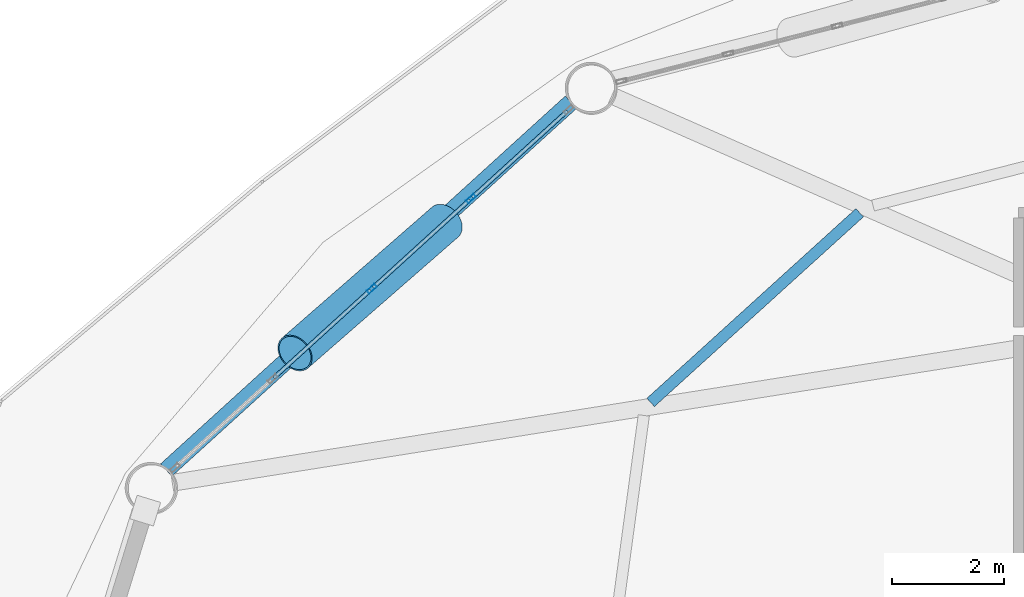
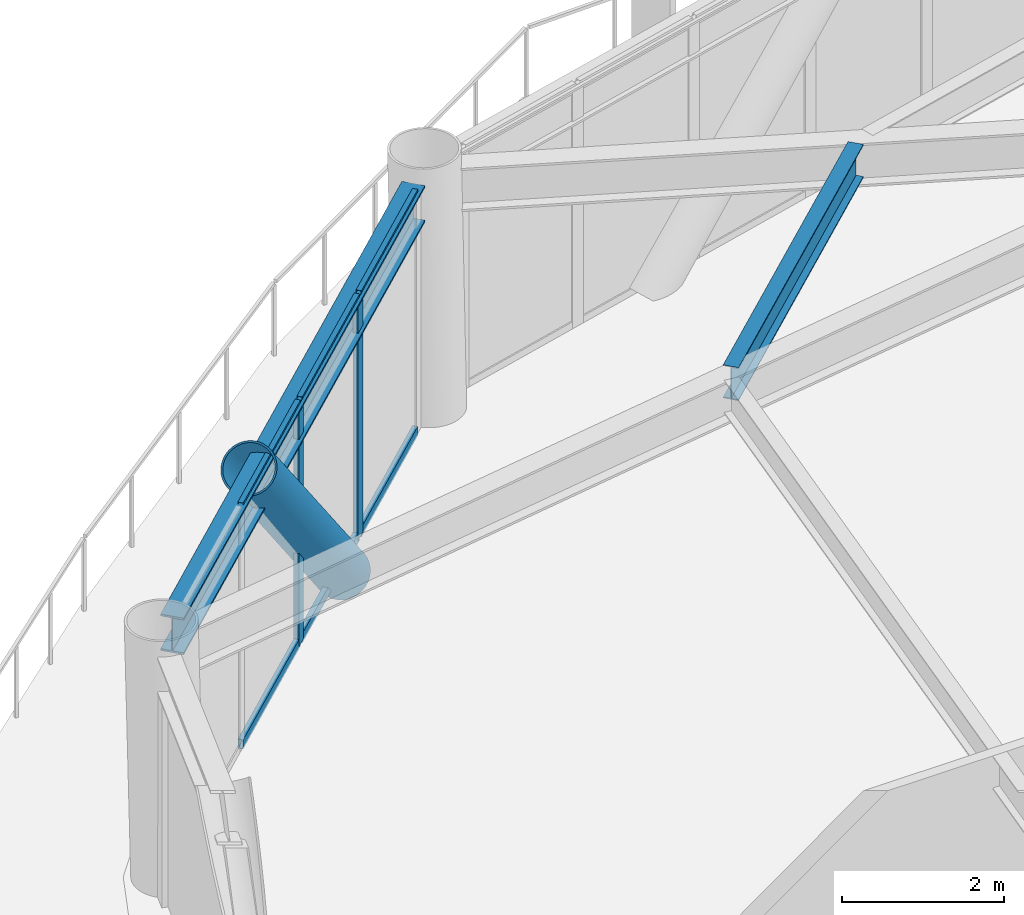
# One storey, part 14 of 22: 9 members, 2 beams, 1 element without a shape of its own.
"""IFC4 building model written with IfcOpenShell, lengths in metres."""

from ifc_helpers import new_model, si_unit, direction, frame, origin, origin_2d, place, context, subcontext, project, spatial, hollow_rectangle, hollow_circle, i_section, extrude, material, layer, layer_set, material_profile, profile_set, type_object, element, aggregate, save


model = new_model("IFC4")

# Units and contexts
model_context = context("Model", 3, precision=1e-05, world=origin(), true_north=direction((0.0, 1.0)))
body_context = subcontext(model_context, "Body", "Model", "MODEL_VIEW")
ifc_project = project(units=[si_unit("LENGTHUNIT", "METRE"), si_unit("AREAUNIT", "SQUARE_METRE"), si_unit("VOLUMEUNIT", "CUBIC_METRE"), si_unit("PLANEANGLEUNIT", "RADIAN"), si_unit("MASSUNIT", "GRAM", prefix="KILO")], contexts=[model_context])

# Site, building, storey
site_placement = place(None, origin())
site = spatial("IfcSite", under=ifc_project, at=site_placement, CompositionType="ELEMENT")
building_placement = place(site_placement, origin())
building = spatial("IfcBuilding", under=site, at=building_placement, Name="Varnakorn Sky Granary", CompositionType="ELEMENT")
storey_placement = place(building_placement, frame((0.0, 0.0, 66.60009765625)))
storey = spatial("IfcBuildingStorey", under=building, at=storey_placement, Name="L16", CompositionType="ELEMENT", Elevation=66.60009765625)

# Beams
ifc_material_1 = material(Name="Steel S355JR", Category="steel")
ifc_material_profile_1 = material_profile(ifc_material_1, i_section(OverallWidth=0.199951171875, OverallDepth=0.5, WebThickness=0.01025390625, FlangeThickness=0.01611328125, at=origin_2d()), Name="IPE 500")
ifc_profile_set_1 = profile_set([ifc_material_profile_1], Name="Steel S355JR")
beam_type_1 = type_object("IfcBeamType", Name="BM-SEC-Z1", PredefinedType="BEAM", material=ifc_profile_set_1)
beam_1_placement = place(storey_placement, frame((-7.443359375, 14.69580078125, 3.389892578125), z_axis=(-0.740548268532, -0.672003171105, 0.0), x_axis=(0.672003171105, -0.740548268532, 0.0)))
element("IfcBeam", 1, at=beam_1_placement, inside=storey, type_object=beam_type_1, Name="Secondary Floor Chord Beam MSB05 L16", PredefinedType="BEAM", context=body_context, shape_type="SweptSolid", body=[
    extrude(i_section(OverallWidth=0.199951171875, OverallDepth=0.5, WebThickness=0.01025390625, FlangeThickness=0.01611328125, at=origin_2d()), origin(), (0.0, 0.0, 1.0), 5.047119140625),
])
ifc_material_profile_2 = material_profile(ifc_material_1, i_section(OverallWidth=0.300048828125, OverallDepth=0.550048828125, WebThickness=0.014892578125, FlangeThickness=0.029052734375, at=origin_2d()), Name="HE 550 B")
ifc_profile_set_2 = profile_set([ifc_material_profile_2], Name="Steel S355JR")
beam_type_2 = type_object("IfcBeamType", Name="BM-SPD-Z1", PredefinedType="SPANDREL", material=ifc_profile_set_2)
beam_2_placement = place(storey_placement, frame((-12.606689453125, 16.671630859375, 3.364990234375), z_axis=(-0.740018014029, -0.67258704932, 0.0), x_axis=(0.67258704932, -0.740018014029, 0.0)))
element("IfcBeam", 2, at=beam_2_placement, inside=storey, type_object=beam_type_2, Name="Perimeter Spandrel Ring Beam RB05 L16", PredefinedType="SPANDREL", context=body_context, shape_type="SweptSolid", body=[
    extrude(i_section(OverallWidth=0.300048828125, OverallDepth=0.550048828125, WebThickness=0.014892578125, FlangeThickness=0.029052734375, at=origin_2d()), origin(), (0.0, 0.0, 1.0), 9.779296875),
])

# Curtain wall, members
ifc_material_2 = material(Name="Anodised Bronze Aluminium Alloy 6063-T6", Category="aluminium")
ifc_layer = layer(ifc_material_2, 0.18994140625, Name="Anodised Bronze Aluminium Alloy 6063-T6")
ifc_layer_set = layer_set([ifc_layer], Name="Anodised Bronze Aluminium Alloy 6063-T6")
curtain_wall_type = type_object("IfcCurtainWallType", Name="CW-FRM-1", PredefinedType="USERDEFINED", material=ifc_layer_set)
curtain_wall_placement = place(storey_placement, origin())
curtain_wall = element("IfcCurtainWall", 3, at=curtain_wall_placement, inside=storey, type_object=curtain_wall_type, Name="Unitised Curtain Wall CW3 CW-L16-B05", ObjectType="CURTAIN WALL", PredefinedType="USERDEFINED")
ifc_material_profile_3 = material_profile(ifc_material_2, hollow_rectangle(XDim=0.070068359375, YDim=0.18505859375, WallThickness=0.00390625, at=origin_2d()), Name="ALU MULL 70x185")
ifc_profile_set_3 = profile_set([ifc_material_profile_3], Name="Anodised Bronze Aluminium Alloy 6063-T6")
member_type_1 = type_object("IfcMemberType", Name="CW-FRM-1-MULL", PredefinedType="MULLION", material=ifc_profile_set_3)
member_1_placement = place(storey_placement, frame((-16.1669921875, 13.337158203125, 0.0), z_axis=(0.0, 0.0, 1.0), x_axis=(-0.672775554803, 0.739846641446, 0.0)))
member_1 = element("IfcMember", 4, at=member_1_placement, type_object=member_type_1, Name="CW3 mullion 3", PredefinedType="MULLION", context=body_context, shape_type="SweptSolid", body=[
    extrude(hollow_rectangle(XDim=0.070068359375, YDim=0.18505859375, WallThickness=0.00390625, at=origin_2d()), origin(), (0.0, 0.0, 1.0), 3.639892578125),
])
member_2_placement = place(storey_placement, frame((-14.393310546875, 14.9501953125, 0.0), z_axis=(0.0, 0.0, 1.0), x_axis=(-0.672775554803, 0.739846641446, 0.0)))
member_2 = element("IfcMember", 5, at=member_2_placement, type_object=member_type_1, Name="CW3 mullion 4", PredefinedType="MULLION", context=body_context, shape_type="SweptSolid", body=[
    extrude(hollow_rectangle(XDim=0.070068359375, YDim=0.18505859375, WallThickness=0.00390625, at=origin_2d()), origin(), (0.0, 0.0, 1.0), 3.639892578125),
])
ifc_material_profile_4 = material_profile(ifc_material_2, hollow_rectangle(XDim=0.070068359375, YDim=0.139892578125, WallThickness=0.00341796875, at=origin_2d()), Name="ALU TRAN 70x140")
ifc_profile_set_4 = profile_set([ifc_material_profile_4], Name="Anodised Bronze Aluminium Alloy 6063-T6")
member_type_2 = type_object("IfcMemberType", Name="CW-FRM-1-TRAN", PredefinedType="USERDEFINED", material=ifc_profile_set_4)
member_3_placement = place(storey_placement, frame((-17.914794921875, 11.747802734375, 0.034912109375), z_axis=(0.7398261494, 0.672798089076, 0.0), x_axis=(-0.672798089076, 0.7398261494, 0.0)))
member_3 = element("IfcMember", 6, at=member_3_placement, type_object=member_type_2, Name="CW3 transom 2.1", ObjectType="TRANSOM", PredefinedType="USERDEFINED", context=body_context, shape_type="SweptSolid", body=[
    extrude(hollow_rectangle(XDim=0.070068359375, YDim=0.139892578125, WallThickness=0.00341796875, at=origin_2d()), origin(), (0.0, 0.0, 1.0), 2.327392578125),
])
member_4_placement = place(storey_placement, frame((-17.914794921875, 11.747802734375, 3.60498046875), z_axis=(0.7398261494, 0.672798089076, 0.0), x_axis=(-0.672798089076, 0.7398261494, 0.0)))
member_4 = element("IfcMember", 7, at=member_4_placement, type_object=member_type_2, Name="CW3 transom 2.2", ObjectType="TRANSOM", PredefinedType="USERDEFINED", context=body_context, shape_type="SweptSolid", body=[
    extrude(hollow_rectangle(XDim=0.070068359375, YDim=0.139892578125, WallThickness=0.00341796875, at=origin_2d()), origin(), (0.0, 0.0, 1.0), 2.327392578125),
])
member_5_placement = place(storey_placement, frame((-16.14111328125, 13.36083984375, 0.034912109375), z_axis=(0.739878362844, 0.672740669349, 0.0), x_axis=(-0.672740669349, 0.739878362844, 0.0)))
member_5 = element("IfcMember", 8, at=member_5_placement, type_object=member_type_2, Name="CW3 transom 3.1", ObjectType="TRANSOM", PredefinedType="USERDEFINED", context=body_context, shape_type="SweptSolid", body=[
    extrude(hollow_rectangle(XDim=0.070068359375, YDim=0.139892578125, WallThickness=0.00341796875, at=origin_2d()), origin(), (0.0, 0.0, 1.0), 2.327392578125),
])
member_6_placement = place(storey_placement, frame((-16.14111328125, 13.36083984375, 3.60498046875), z_axis=(0.739878362844, 0.672740669349, 0.0), x_axis=(-0.672740669349, 0.739878362844, 0.0)))
member_6 = element("IfcMember", 9, at=member_6_placement, type_object=member_type_2, Name="CW3 transom 3.2", ObjectType="TRANSOM", PredefinedType="USERDEFINED", context=body_context, shape_type="SweptSolid", body=[
    extrude(hollow_rectangle(XDim=0.070068359375, YDim=0.139892578125, WallThickness=0.00341796875, at=origin_2d()), origin(), (0.0, 0.0, 1.0), 2.327392578125),
])
member_7_placement = place(storey_placement, frame((-14.367431640625, 14.9736328125, 0.034912109375), z_axis=(0.73980513557, 0.672821195701, 0.0), x_axis=(-0.672821195701, 0.73980513557, 0.0)))
member_7 = element("IfcMember", 10, at=member_7_placement, type_object=member_type_2, Name="CW3 transom 4.1", ObjectType="TRANSOM", PredefinedType="USERDEFINED", context=body_context, shape_type="SweptSolid", body=[
    extrude(hollow_rectangle(XDim=0.070068359375, YDim=0.139892578125, WallThickness=0.00341796875, at=origin_2d()), origin(), (0.0, 0.0, 1.0), 2.29248046875),
])
member_8_placement = place(storey_placement, frame((-14.367431640625, 14.9736328125, 3.60498046875), z_axis=(0.73980513557, 0.672821195701, 0.0), x_axis=(-0.672821195701, 0.73980513557, 0.0)))
member_8 = element("IfcMember", 11, at=member_8_placement, type_object=member_type_2, Name="CW3 transom 4.2", ObjectType="TRANSOM", PredefinedType="USERDEFINED", context=body_context, shape_type="SweptSolid", body=[
    extrude(hollow_rectangle(XDim=0.070068359375, YDim=0.139892578125, WallThickness=0.00341796875, at=origin_2d()), origin(), (0.0, 0.0, 1.0), 2.29248046875),
])
aggregate(curtain_wall, [member_1, member_2, member_3, member_4, member_5, member_6, member_7, member_8])

# Member
ifc_material_3 = material(Name="Steel S460M", Category="steel")
ifc_material_profile_5 = material_profile(ifc_material_3, hollow_circle(Radius=0.35546875, WallThickness=0.02490234375, at=origin_2d()), Name="CHS 711x25")
ifc_profile_set_5 = profile_set([ifc_material_profile_5], Name="Steel S460M")
member_type_3 = type_object("IfcMemberType", Name="MB-DIAG-T0", PredefinedType="BRACE", material=ifc_profile_set_5)
member_9_placement = place(storey_placement, frame((-14.85693359375, 14.5283203125, -0.130126953125), z_axis=(-0.506693054437, -0.442013739054, 0.740193220093), x_axis=(0.657372893903, -0.753565443981, 0.0)))
element("IfcMember", 12, at=member_9_placement, inside=storey, type_object=member_type_3, Name="Perimeter CHS Diagrid Brace DG05 L16", PredefinedType="BRACE", context=body_context, shape_type="SweptSolid", body=[
    extrude(hollow_circle(Radius=0.35546875, WallThickness=0.02490234375, at=origin_2d()), origin(), (0.0, 0.0, 1.0), 5.2958984375),
])

save(model, "model.ifc")
